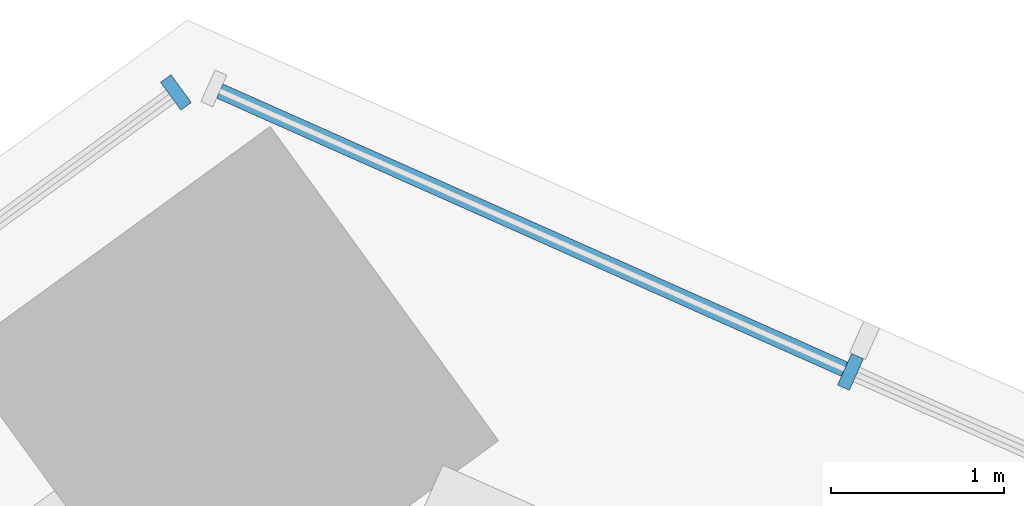
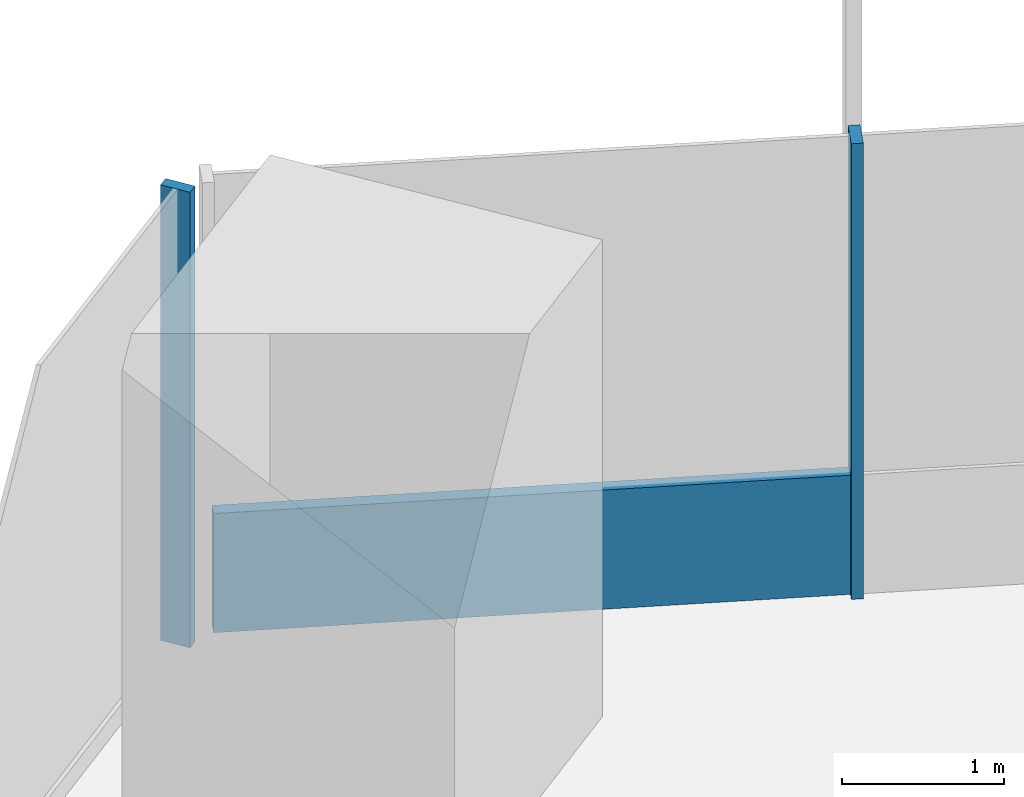
# One storey, part 8 of 21: 3 members, 2 elements without a shape of their own.
"""IFC4 building model written with IfcOpenShell, lengths in metres."""

from ifc_helpers import new_model, si_unit, direction, frame, origin, origin_2d, place, context, subcontext, project, spatial, rectangle, extrude, source, transform, mapped, material, material_profile, profile_set, type_object, element, aggregate, save


model = new_model("IFC4")

# Units and contexts
model_context = context("Model", 3, precision=1e-05, world=origin(), true_north=direction((0.0, 1.0)))
body_context = subcontext(model_context, "Body", "Model", "MODEL_VIEW")
ifc_project = project(units=[si_unit("LENGTHUNIT", "METRE"), si_unit("AREAUNIT", "SQUARE_METRE"), si_unit("VOLUMEUNIT", "CUBIC_METRE"), si_unit("PLANEANGLEUNIT", "RADIAN"), si_unit("MASSUNIT", "GRAM", prefix="KILO")], contexts=[model_context])

# Site, building, storey
site_placement = place(None, origin())
site = spatial("IfcSite", under=ifc_project, at=site_placement, CompositionType="ELEMENT")
building_placement = place(site_placement, origin())
building = spatial("IfcBuilding", under=site, at=building_placement, Name="Triune Harvest Tower", CompositionType="ELEMENT")
storey_placement = place(building_placement, frame((0.0, 0.0, 80.10009765625)))
storey = spatial("IfcBuildingStorey", under=building, at=storey_placement, Name="L19", CompositionType="ELEMENT", Elevation=80.10009765625)

# Curtain wall, members
ifc_material_1 = material(Name="Aluminium bronze anodised", Category="aluminium")
curtain_wall_type_1 = type_object("IfcCurtainWallType", Name="CW-1 Tower stick curtain wall", PredefinedType="NOTDEFINED", material=ifc_material_1)
curtain_wall_1_placement = place(storey_placement, origin())
curtain_wall_1 = element("IfcCurtainWall", 1, at=curtain_wall_1_placement, inside=storey, type_object=curtain_wall_type_1, Name="CW-1 B2-F2 L19 run 1")
ifc_material_2 = material(Name="Aluminium bronze anodised", Category="aluminium")
ifc_material_profile_1 = material_profile(ifc_material_2, rectangle(XDim=0.199951171875, YDim=0.074951171875, at=origin_2d()), Name="MU-1 mullion 75 x 200")
ifc_profile_set_1 = profile_set([ifc_material_profile_1], Name="Aluminium bronze anodised")
member_type_1 = type_object("IfcMemberType", Name="MU-1 mullion 75 x 200", PredefinedType="MULLION", material=ifc_profile_set_1)
shared_shape_1 = source(origin(), body_context, "Body", "SweptSolid", [
    extrude(rectangle(XDim=0.199951171875, YDim=0.074951171875, at=origin_2d()), origin(), (0.0, 0.0, 1.0), 3.43994140625),
])
member_1_placement = place(storey_placement, frame((12.2353515625, 32.48876953125, 0.0), z_axis=(0.0, 0.0, 1.0), x_axis=(-0.406733978386, -0.913546644034, 0.0)))
member_1 = element("IfcMember", 2, at=member_1_placement, type_object=member_type_1, Name="CW-1 mullion B2-F2 1.3", PredefinedType="MULLION", context=body_context, shape_type="MappedRepresentation", body=[
    mapped(shared_shape_1, transform((0.0, 0.0, 0.0), scale=1.0)),
])
ifc_material_3 = material(Name="Aluminium bronze anodised", Category="aluminium")
ifc_material_profile_2 = material_profile(ifc_material_3, rectangle(XDim=0.090087890625, YDim=0.89990234375, at=origin_2d()), Name="TR-1 transom 90 x 900")
ifc_profile_set_2 = profile_set([ifc_material_profile_2], Name="Aluminium bronze anodised")
member_type_2 = type_object("IfcMemberType", Name="TR-1 transom 90 x 900", PredefinedType="USERDEFINED", material=ifc_profile_set_2)
shared_shape_2 = source(origin(), body_context, "Body", "SweptSolid", [
    extrude(rectangle(XDim=0.090087890625, YDim=0.89990234375, at=origin_2d()), origin(), (0.0, 0.0, 1.0), 3.960693359375),
])
member_2_placement = place(storey_placement, frame((12.201171875, 32.504150390625, 0.449951171875), z_axis=(-0.913562276019, 0.406698866282, 0.0), x_axis=(-0.406698866282, -0.913562276019, 0.0)))
member_2 = element("IfcMember", 3, at=member_2_placement, type_object=member_type_2, Name="CW-1 transom B2-F2 1.2", ObjectType="TRANSOM", PredefinedType="USERDEFINED", context=body_context, shape_type="MappedRepresentation", body=[
    mapped(shared_shape_2, transform((0.0, 0.0, 0.0), scale=1.0)),
])
aggregate(curtain_wall_1, [member_1, member_2])

# Curtain wall, member
ifc_material_4 = material(Name="Aluminium bronze anodised", Category="aluminium")
curtain_wall_type_2 = type_object("IfcCurtainWallType", Name="CW-6 Balcony window wall", PredefinedType="NOTDEFINED", material=ifc_material_4)
curtain_wall_2_placement = place(storey_placement, origin())
curtain_wall_2 = element("IfcCurtainWall", 4, at=curtain_wall_2_placement, inside=storey, type_object=curtain_wall_type_2, Name="CW-6 B2-F3 L19 run 1")
ifc_material_5 = material(Name="Aluminium bronze anodised", Category="aluminium")
ifc_material_profile_3 = material_profile(ifc_material_5, rectangle(XDim=0.199951171875, YDim=0.074951171875, at=origin_2d()), Name="MU-6 mullion 75 x 200")
ifc_profile_set_3 = profile_set([ifc_material_profile_3], Name="Aluminium bronze anodised")
member_type_3 = type_object("IfcMemberType", Name="MU-6 mullion 75 x 200", PredefinedType="MULLION", material=ifc_profile_set_3)
shared_shape_3 = source(origin(), body_context, "Body", "SweptSolid", [
    extrude(rectangle(XDim=0.199951171875, YDim=0.074951171875, at=origin_2d()), origin(), (0.0, 0.0, 1.0), 3.43994140625),
])
member_3_placement = place(storey_placement, frame((8.328857421875, 34.107177734375, 0.0), z_axis=(0.0, 0.0, 1.0), x_axis=(0.587784808458, -0.809017316839, 0.0)))
member_3 = element("IfcMember", 5, at=member_3_placement, type_object=member_type_3, Name="CW-6 mullion B2-F3 1.1", PredefinedType="MULLION", context=body_context, shape_type="MappedRepresentation", body=[
    mapped(shared_shape_3, transform((0.0, 0.0, 0.0), scale=1.0)),
])
aggregate(curtain_wall_2, [member_3])

save(model, "model.ifc")
